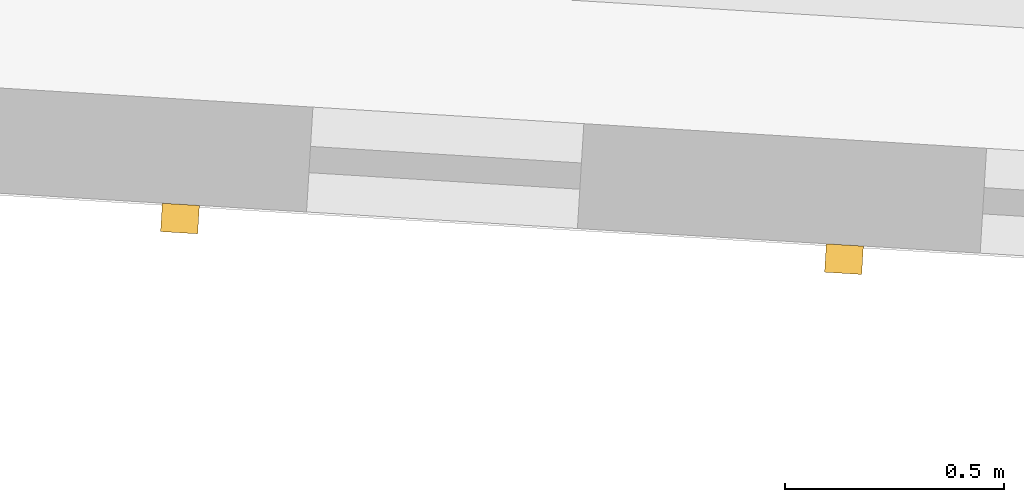
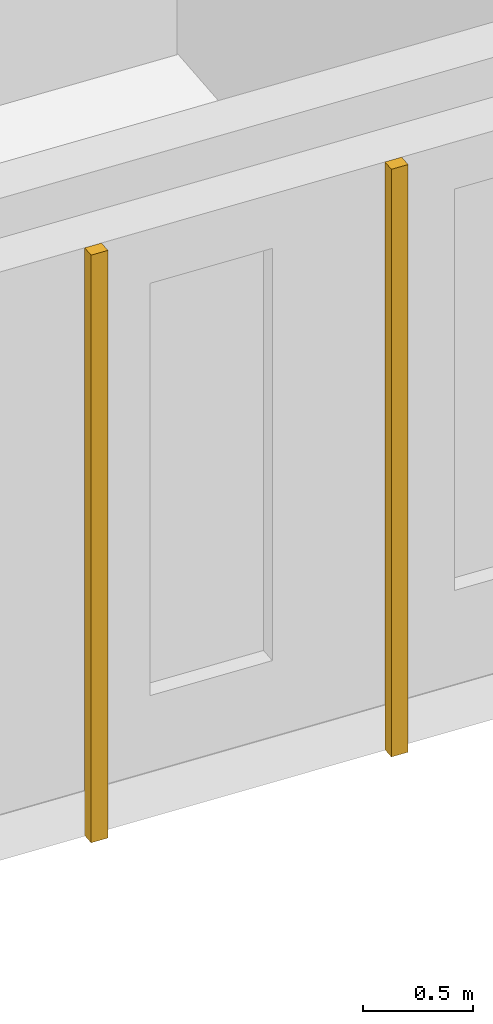
# One storey, part 48 of 64: 2 coverings.
"""IFC4 building model written with IfcOpenShell, lengths in metres."""

from ifc_helpers import new_model, si_unit, direction, frame, origin, origin_2d, place, context, subcontext, project, spatial, rectangle, extrude, material, layer, layer_set, type_object, element, save


model = new_model("IFC4")

# Units and contexts
model_context = context("Model", 3, precision=1e-05, world=origin(), true_north=direction((0.0, 1.0)))
body_context = subcontext(model_context, "Body", "Model", "MODEL_VIEW")
ifc_project = project(units=[si_unit("LENGTHUNIT", "METRE"), si_unit("AREAUNIT", "SQUARE_METRE"), si_unit("VOLUMEUNIT", "CUBIC_METRE"), si_unit("PLANEANGLEUNIT", "RADIAN"), si_unit("MASSUNIT", "GRAM", prefix="KILO")], contexts=[model_context])

# Site, building, storey
site_placement = place(None, origin())
site = spatial("IfcSite", under=ifc_project, at=site_placement, CompositionType="ELEMENT")
building_placement = place(site_placement, origin())
building = spatial("IfcBuilding", under=site, at=building_placement, Name="Kestramere Prow Commons", CompositionType="ELEMENT")
storey_placement = place(building_placement, frame((0.0, 0.0, 24.64990234375)))
storey = spatial("IfcBuildingStorey", under=building, at=storey_placement, Name="L07", CompositionType="ELEMENT", Elevation=24.64990234375)

# Coverings
ifc_material = material(Name="Weathered Zinc-Titanium Standing-Seam Cladding")
ifc_layer = layer(ifc_material, 0.074951171875)
ifc_layer_set = layer_set([ifc_layer], Name="Weathered Zinc-Titanium Standing-Seam Cladding")
covering_type = type_object("IfcCoveringType", Name="COV-CLAD-SEAM", PredefinedType="CLADDING", material=ifc_layer_set)
for number, where, z_axis, x_axis, name in (
    (1, (95.87060546875, 43.5966796875, -0.25), (0.0, 0.0, 1.0), (-0.998134798422, 0.061048539535, 0.0), "EW-C-L07-S-4 Standing-Seam Rib 1"),
    (2, (94.353515625, 43.689453125, -0.25), (0.0, 0.0, 1.0), (-0.998134798422, 0.061048539535, 0.0), "EW-C-L07-S-4 Standing-Seam Rib 2"),
):
    element("IfcCovering", number, at=place(storey_placement, frame(where, z_axis=z_axis, x_axis=x_axis)), inside=storey, type_object=covering_type, Name=name, PredefinedType="CLADDING", context=body_context, shape_type="SweptSolid", body=[
        extrude(rectangle(XDim=0.0849609375, YDim=0.06494140625, at=origin_2d()), origin(), (0.0, 0.0, 1.0), 3.25),
    ])

save(model, "model.ifc")
